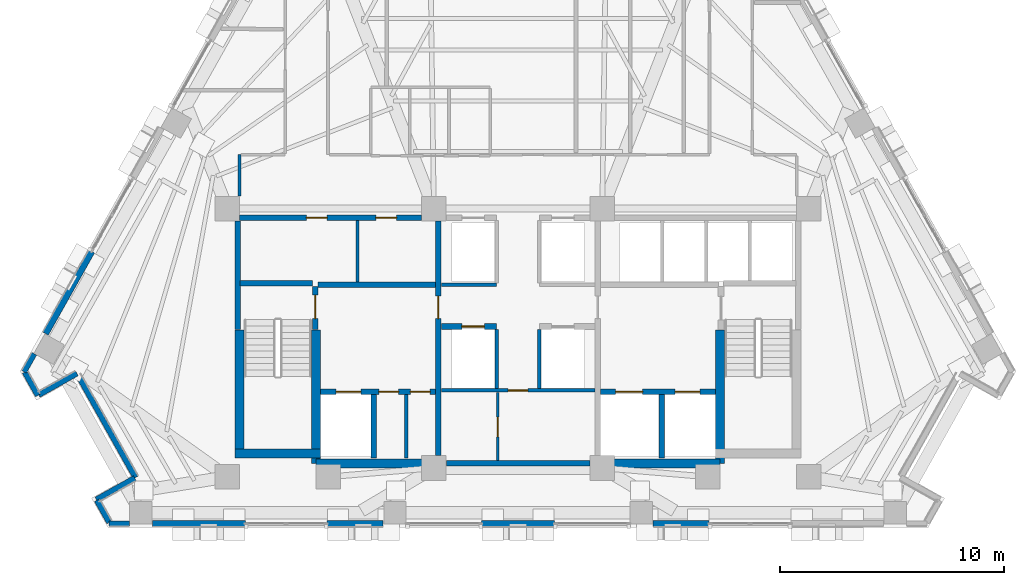
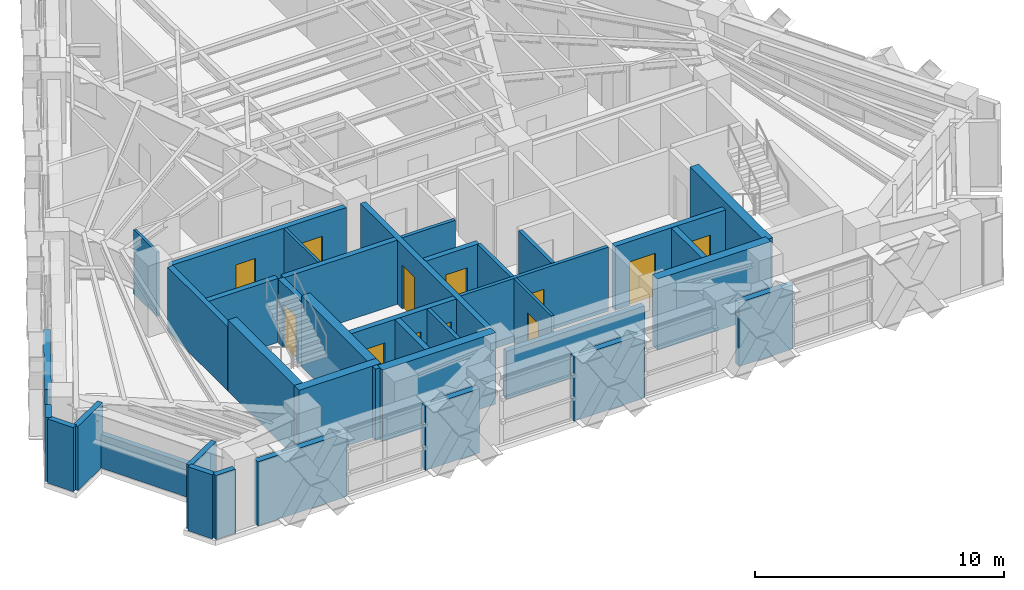
# One storey, part 7 of 13: 38 walls, 12 doors, 12 openings.
"""IFC4 building model written with IfcOpenShell, lengths in metres."""

import ifcopenshell
import ifcopenshell.guid

model = None  # the IFC model being written
_history = None  # IfcOwnerHistory: only IFC2X3 demands one
_inside = {}  # id of a spatial element -> (the spatial element, [elements in it])
_under = {}  # id of a project, library or spatial element -> (it, [spatial elements below it])
_declared = {}  # id of a project -> (the project, [libraries it declares])
_typed = {}  # id of a type object -> (the type object, [elements of that type])
_made_of = {}  # id of a material, layer set ... -> (it, [elements and type objects made of it])


def new_model(schema):
    """Start an empty IFC model of exactly this schema.

    Asked for "IFC4X3", IfcOpenShell would pick the latest addendum, in which some entities
    have other attributes; the version numbers below select the first issue.
    IFC2X3 requires an IfcOwnerHistory on every rooted entity: one is made here for all.
    """
    global model, _history
    if schema == "IFC4X3":
        model = ifcopenshell.file(schema_version=(4, 3, 0, 0))
    else:
        model = ifcopenshell.file(schema=schema)
    _inside.clear()
    _under.clear()
    _declared.clear()
    _typed.clear()
    _made_of.clear()
    _history = None
    if model.schema == "IFC2X3":
        org = make("IfcOrganization", Name="unknown")
        user = make(
            "IfcPersonAndOrganization",
            ThePerson=make("IfcPerson", FamilyName="unknown"),
            TheOrganization=org,
        )
        app = make(
            "IfcApplication",
            ApplicationDeveloper=org,
            Version="unknown",
            ApplicationFullName="unknown",
            ApplicationIdentifier="unknown",
        )
        _history = make(
            "IfcOwnerHistory",
            OwningUser=user,
            OwningApplication=app,
            ChangeAction="ADDED",
            CreationDate=0,
        )
    return model


def make(cls, **values):
    """One entity of the class cls with the attributes given. An attribute that is None is left unset."""
    return model.create_entity(
        cls, **{name: value for name, value in values.items() if value is not None}
    )


def rooted(cls, **values):
    """An entity with a GlobalId (a new one), such as an element, a storey or a relation."""
    return make(cls, GlobalId=ifcopenshell.guid.new(), OwnerHistory=_history, **values)


def si_unit(unit_type, name, prefix=None):
    """IfcSIUnit, for example si_unit("LENGTHUNIT", "METRE", prefix="MILLI")."""
    return make("IfcSIUnit", UnitType=unit_type, Prefix=prefix, Name=name)


def assignment(units):
    """IfcUnitAssignment: the units of a project."""
    return None if units is None else make("IfcUnitAssignment", Units=units)


def point(xyz):
    """IfcCartesianPoint."""
    return None if xyz is None else make("IfcCartesianPoint", Coordinates=xyz)


def direction(xyz):
    """IfcDirection."""
    return None if xyz is None else make("IfcDirection", DirectionRatios=xyz)


def frame(location, z_axis=None, x_axis=None):
    """IfcAxis2Placement3D, a coordinate frame: its origin and axes. An axis left out is left unset."""
    return make(
        "IfcAxis2Placement3D",
        Location=point(location),
        Axis=direction(z_axis),
        RefDirection=direction(x_axis),
    )


def frame_2d(location, x_axis=None):
    """IfcAxis2Placement2D, a coordinate frame in the plane: its origin and x axis."""
    return make(
        "IfcAxis2Placement2D", Location=point(location), RefDirection=direction(x_axis)
    )


def origin():
    """The frame at (0, 0, 0) with its axes left unset."""
    return frame((0.0, 0.0, 0.0))


def place(relative_to, where):
    """IfcLocalPlacement: puts the frame where relative to a parent placement (None: the world)."""
    return make(
        "IfcLocalPlacement", PlacementRelTo=relative_to, RelativePlacement=where
    )


def context(
    kind, dimensions, precision=None, world=None, true_north=None, identifier=None
):
    """IfcGeometricRepresentationContext, for example the 3D "Model" context."""
    return make(
        "IfcGeometricRepresentationContext",
        ContextIdentifier=identifier,
        ContextType=kind,
        CoordinateSpaceDimension=dimensions,
        Precision=precision,
        WorldCoordinateSystem=world,
        TrueNorth=true_north,
    )


def subcontext(parent, identifier, kind, view, scale=None):
    """IfcGeometricRepresentationSubContext, for example "Body" below "Model"."""
    return make(
        "IfcGeometricRepresentationSubContext",
        ContextIdentifier=identifier,
        ContextType=kind,
        ParentContext=parent,
        TargetScale=scale,
        TargetView=view,
    )


def project(units=None, contexts=None):
    """IfcProject with its units and contexts."""
    return rooted(
        "IfcProject",
        Name="project",
        RepresentationContexts=contexts,
        UnitsInContext=assignment(units),
    )


def spatial(cls, under=None, at=None, **own):
    """A site, building, storey or space (cls), placed at a placement, below another one or the project."""
    s = rooted(cls, ObjectPlacement=at, **own)
    if under is not None:
        _under.setdefault(under.id(), (under, []))[1].append(s)
    return s


def profile(cls, at=None, kind="AREA", **sizes):
    """A parametric profile (cls). Its sizes go by their IFC names, for example OverallWidth=200.0."""
    return make(cls, ProfileType=kind, Position=at, **sizes)


def rectangle(**sizes):
    """IfcRectangleProfileDef."""
    return profile("IfcRectangleProfileDef", **sizes)


def extrude(swept, where, along, depth):
    """IfcExtrudedAreaSolid: the profile swept, set in the frame where, extruded along a direction by depth."""
    return make(
        "IfcExtrudedAreaSolid",
        SweptArea=swept,
        Position=where,
        ExtrudedDirection=direction(along),
        Depth=depth,
    )


def shape(context_of_items, identifier, shape_type, items):
    """IfcShapeRepresentation: the items that make up one representation, for example the "Body"."""
    return make(
        "IfcShapeRepresentation",
        ContextOfItems=context_of_items,
        RepresentationIdentifier=identifier,
        RepresentationType=shape_type,
        Items=items,
    )


def material(Name=None, Category=None):
    """IfcMaterial."""
    return make("IfcMaterial", Name=Name, Category=Category)


def layer(
    of_material, thickness, ventilated=None, Name=None, Category=None, Priority=None
):
    """IfcMaterialLayer: one layer of a wall or slab, of a material (None: an air gap)."""
    return make(
        "IfcMaterialLayer",
        Material=of_material,
        LayerThickness=thickness,
        IsVentilated=ventilated,
        Name=Name,
        Category=Category,
        Priority=Priority,
    )


def layer_set(layers, Name=None):
    """IfcMaterialLayerSet."""
    return make("IfcMaterialLayerSet", MaterialLayers=layers, LayerSetName=Name)


def made_of(thing, what):
    """Note that an element or type object is made of a material, layer set ...; save() writes the relation."""
    if what is not None:
        _made_of.setdefault(what.id(), (what, []))[1].append(thing)
    return thing


def type_object(cls, material=None, **own):
    """A type object (cls), such as IfcWallType, which elements share."""
    return made_of(rooted(cls, **own), material)


def element(
    cls,
    number,
    at=None,
    inside=None,
    cuts=None,
    type_object=None,
    material=None,
    context=None,
    identifier="Body",
    shape_type=None,
    held_by="IfcProductDefinitionShape",
    body=None,
    shapes=None,
    **own,
):
    """One element of the class cls, such as IfcWall. Its Tag is "e" and its number.

    at: its placement. inside: the storey or other place that contains it. cuts: it is an
    opening in that element (IfcRelVoidsElement). A single representation is given by context,
    identifier, shape_type and body (its items); several are given by shapes. held_by: the class
    of the entity that holds the representations. save() writes the other relations.
    """
    e = rooted(cls, Tag="e%d" % number, ObjectPlacement=at, **own)
    if body is not None:
        shapes = [shape(context, identifier, shape_type, body)]
    if shapes is not None:
        e.Representation = make(held_by, Representations=shapes)
    if inside is not None:
        _inside.setdefault(inside.id(), (inside, []))[1].append(e)
    if cuts is not None:
        rooted(
            "IfcRelVoidsElement", RelatingBuildingElement=cuts, RelatedOpeningElement=e
        )
    if type_object is not None:
        _typed.setdefault(type_object.id(), (type_object, []))[1].append(e)
    return made_of(e, material)


def fill(opening, filler):
    """IfcRelFillsElement: the door or window that sits in an opening."""
    return rooted(
        "IfcRelFillsElement",
        RelatingOpeningElement=opening,
        RelatedBuildingElement=filler,
    )


def aggregate(whole, parts):
    """IfcRelAggregates: a whole, such as a stair, and the parts it consists of."""
    return rooted("IfcRelAggregates", RelatingObject=whole, RelatedObjects=parts)


def save(model, path):
    """Write the relations noted so far, then the file.

    IfcRelAggregates (storeys below a building ...), IfcRelContainedInSpatialStructure (elements
    in a storey), IfcRelDefinesByType, IfcRelAssociatesMaterial and IfcRelDeclares: one each for
    every whole, place, type object, material and project.
    """
    for whole, parts in _under.values():
        aggregate(whole, parts)
    for where, things in _inside.values():
        rooted(
            "IfcRelContainedInSpatialStructure",
            RelatedElements=things,
            RelatingStructure=where,
        )
    for kind, things in _typed.values():
        rooted("IfcRelDefinesByType", RelatedObjects=things, RelatingType=kind)
    for what, things in _made_of.values():
        rooted("IfcRelAssociatesMaterial", RelatedObjects=things, RelatingMaterial=what)
    for by, libraries in _declared.values():
        rooted("IfcRelDeclares", RelatingContext=by, RelatedDefinitions=libraries)
    model.write(path)


model = new_model("IFC4")

# Units and contexts
model_context = context("Model", 3, precision=1e-05, world=origin(), true_north=direction((0.0, 1.0)))
body_context = subcontext(model_context, "Body", "Model", "MODEL_VIEW")
ifc_project = project(units=[si_unit("LENGTHUNIT", "METRE"), si_unit("AREAUNIT", "SQUARE_METRE"), si_unit("VOLUMEUNIT", "CUBIC_METRE"), si_unit("PLANEANGLEUNIT", "RADIAN"), si_unit("MASSUNIT", "GRAM", prefix="KILO")], contexts=[model_context])

# Site, building, storey
site_placement = place(None, origin())
site = spatial("IfcSite", under=ifc_project, at=site_placement, CompositionType="ELEMENT")
building_placement = place(site_placement, origin())
building = spatial("IfcBuilding", under=site, at=building_placement, Name="Quenlor Broadcast Tower", CompositionType="ELEMENT")
storey_placement = place(building_placement, frame((0.0, 0.0, 175.5)))
storey = spatial("IfcBuildingStorey", under=building, at=storey_placement, Name="L48", CompositionType="ELEMENT", Elevation=175.5)

# Walls
ifc_material_1 = material(Name="Concrete C50/60", Category="concrete")
ifc_layer_1 = layer(ifc_material_1, 0.39990234375)
ifc_layer_set_1 = layer_set([ifc_layer_1], Name="Core Concrete C50/60 Shear Wall 400")
wall_type_1 = type_object("IfcWallType", Name="Core Concrete C50/60 Shear Wall 400", PredefinedType="SHEAR", material=ifc_layer_set_1)
wall_1_placement = place(storey_placement, frame((-12.60009765625, -15.699951171875, 0.0), z_axis=(0.0, 0.0, 1.0), x_axis=(1.0, 0.0, 0.0)))
element("IfcWall", 1, at=wall_1_placement, inside=storey, type_object=wall_type_1, Name="L48 Core Shear Wall WS-W1", PredefinedType="SHEAR", context=body_context, shape_type="SweptSolid", body=[
    extrude(rectangle(XDim=3.800048828125, YDim=0.39990234375, at=frame_2d((1.89990234375, 0.0))), origin(), (0.0, 0.0, 1.0), 3.5),
])
for number, where, z_axis, x_axis, name in (
    (2, (-9.0, -16.14990234375, 0.0), (0.0, 0.0, 1.0), (1.0, 0.0, 0.0), "L48 Core Shear Wall WS-W2"),
    (3, (3.75, -16.14990234375, 0.0), (0.0, 0.0, 1.0), (1.0, 0.0, 0.0), "L48 Core Shear Wall WS-E1"),
):
    element("IfcWall", number, at=place(storey_placement, frame(where, z_axis=z_axis, x_axis=x_axis)), inside=storey, type_object=wall_type_1, Name=name, PredefinedType="SHEAR", context=body_context, shape_type="SweptSolid", body=[
        extrude(rectangle(XDim=5.25, YDim=0.39990234375, at=frame_2d((2.625, 0.0))), origin(), (0.0, 0.0, 1.0), 3.5),
    ])
wall_2_placement = place(storey_placement, frame((-12.39990234375, -15.699951171875, 0.0), z_axis=(0.0, 0.0, 1.0), x_axis=(0.0, 1.0, 0.0)))
element("IfcWall", 4, at=wall_2_placement, inside=storey, type_object=wall_type_1, Name="L48 Core Shear Wall WF-W", PredefinedType="SHEAR", context=body_context, shape_type="SweptSolid", body=[
    extrude(rectangle(XDim=5.5, YDim=0.39990234375, at=frame_2d((2.75, 0.0))), origin(), (0.0, 0.0, 1.0), 3.5),
])
for number, where, z_axis, x_axis, name in (
    (5, (-9.0, -16.14990234375, 0.0), (0.0, 0.0, 1.0), (0.0, 1.0, 0.0), "L48 Core Shear Wall WI-W"),
    (6, (9.0, -16.14990234375, 0.0), (0.0, 0.0, 1.0), (0.0, 1.0, 0.0), "L48 Core Shear Wall WI-E"),
):
    element("IfcWall", number, at=place(storey_placement, frame(where, z_axis=z_axis, x_axis=x_axis)), inside=storey, type_object=wall_type_1, Name=name, PredefinedType="SHEAR", context=body_context, shape_type="SweptSolid", body=[
        extrude(rectangle(XDim=5.949951171875, YDim=0.39990234375, at=frame_2d((2.97509765625, 0.0))), origin(), (0.0, 0.0, 1.0), 3.5),
    ])

# Wall, opening, door
ifc_material_2 = material(Name="Concrete C40/50", Category="concrete")
ifc_layer_2 = layer(ifc_material_2, 0.25)
ifc_layer_set_2 = layer_set([ifc_layer_2], Name="Fire Rated Concrete C40/50 Core Wall 250")
wall_type_2 = type_object("IfcWallType", Name="Fire Rated Concrete C40/50 Core Wall 250", PredefinedType="PARTITIONING", material=ifc_layer_set_2)
wall_3_placement = place(storey_placement, frame((-9.0400390625, -10.179931640625, 0.0), z_axis=(0.0, 0.0, 1.0), x_axis=(0.0, 1.0, 0.0)))
wall_3 = element("IfcWall", 7, at=wall_3_placement, inside=storey, type_object=wall_type_2, Name="L48 Interior Wall CW-ST1-DR", PredefinedType="PARTITIONING", context=body_context, shape_type="SweptSolid", body=[
    extrude(rectangle(XDim=1.89990234375, YDim=0.25, at=frame_2d((0.949951171875, 0.0))), origin(), (0.0, 0.0, 1.0), 3.139892578125),
])
opening_1_placement = place(wall_3_placement, frame((0.47998046875, 0.0, 0.0)))
opening_1 = element("IfcOpeningElement", 8, at=opening_1_placement, cuts=wall_3, Name="Opening FD-1", PredefinedType="OPENING", context=body_context, shape_type="SweptSolid", body=[
    extrude(rectangle(XDim=1.050048828125, YDim=2.14990234375, at=frame_2d((0.52490234375, 1.074951171875))), frame((0.0, 0.135009765625, 0.0), z_axis=(0.0, -1.0, 0.0), x_axis=(1.0, 0.0, 0.0)), (0.0, 0.0, 1.0), 0.27001953125),
])
ifc_material_3 = material(Name="Fire Rated Steel Door Leaf", Category="steel")
door_type_1 = type_object("IfcDoorType", Name="Fire Isolated Stair Door 1050x2150", OperationType="NOTDEFINED", PredefinedType="DOOR", material=ifc_material_3)
door_1_placement = place(opening_1_placement, origin())
door_1 = element("IfcDoor", 9, at=door_1_placement, inside=storey, type_object=door_type_1, Name="L48 Door DR-ST1", OperationType="SINGLE_SWING_LEFT", OverallHeight=2.14990234375, OverallWidth=1.050048828125, PredefinedType="DOOR", context=body_context, shape_type="SweptSolid", body=[
    extrude(rectangle(XDim=1.050048828125, YDim=2.14990234375, at=frame_2d((0.52490234375, 1.074951171875))), frame((0.0, 0.02490234375, 0.0), z_axis=(0.0, -1.0, 0.0), x_axis=(1.0, 0.0, 0.0)), (0.0, 0.0, 1.0), 0.050048828125),
])
fill(opening_1, door_1)

# Walls
wall_4_placement = place(storey_placement, frame((-12.3798828125, -8.1201171875, 0.0), z_axis=(0.0, 0.0, 1.0), x_axis=(1.0, 0.0, 0.0)))
element("IfcWall", 10, at=wall_4_placement, inside=storey, type_object=wall_type_2, Name="L48 Interior Wall CW-ST1-N", PredefinedType="PARTITIONING", context=body_context, shape_type="SweptSolid", body=[
    extrude(rectangle(XDim=3.219970703125, YDim=0.25, at=frame_2d((1.60986328125, 0.0))), origin(), (0.0, 0.0, 1.0), 3.139892578125),
])
wall_5_placement = place(storey_placement, frame((-12.47998046875, -10.179931640625, 0.0), z_axis=(0.0, 0.0, 1.0), x_axis=(0.0, 1.0, 0.0)))
element("IfcWall", 11, at=wall_5_placement, inside=storey, type_object=wall_type_2, Name="L48 Interior Wall CW-ST1-W2", PredefinedType="PARTITIONING", context=body_context, shape_type="SweptSolid", body=[
    extrude(rectangle(XDim=4.827880859375, YDim=0.25, at=frame_2d((2.4140625, 0.0))), origin(), (0.0, 0.0, 1.0), 3.139892578125),
])

# Wall, openings, doors
wall_6_placement = place(storey_placement, frame((-8.798095703125, -12.949951171875, 0.0), z_axis=(0.0, 0.0, 1.0), x_axis=(1.0, 0.0, 0.0)))
wall_6 = element("IfcWall", 12, at=wall_6_placement, inside=storey, type_object=wall_type_2, Name="L48 Interior Wall CW-FFW-S", PredefinedType="PARTITIONING", context=body_context, shape_type="SweptSolid", body=[
    extrude(rectangle(XDim=5.1181640625, YDim=0.25, at=frame_2d((2.55908203125, 0.0))), origin(), (0.0, 0.0, 1.0), 3.139892578125),
])
opening_2_placement = place(wall_6_placement, frame((0.697998046875, 0.0, 0.0)))
opening_2 = element("IfcOpeningElement", 13, at=opening_2_placement, cuts=wall_6, Name="Opening LD-FFL-1", PredefinedType="OPENING", context=body_context, shape_type="SweptSolid", body=[
    extrude(rectangle(XDim=1.10009765625, YDim=2.14990234375, at=frame_2d((0.550048828125, 1.074951171875))), frame((0.0, 0.135009765625, 0.0), z_axis=(0.0, -1.0, 0.0), x_axis=(1.0, 0.0, 0.0)), (0.0, 0.0, 1.0), 0.27001953125),
])
opening_3_placement = place(wall_6_placement, frame((2.597900390625, 0.0, 0.0)))
opening_3 = element("IfcOpeningElement", 14, at=opening_3_placement, cuts=wall_6, Name="Opening TD-1", PredefinedType="OPENING", context=body_context, shape_type="SweptSolid", body=[
    extrude(rectangle(XDim=0.8798828125, YDim=2.10009765625, at=frame_2d((0.43994140625, 1.050048828125))), frame((0.0, 0.135009765625, 0.0), z_axis=(0.0, -1.0, 0.0), x_axis=(1.0, 0.0, 0.0)), (0.0, 0.0, 1.0), 0.27001953125),
])
opening_4_placement = place(wall_6_placement, frame((3.998046875, 0.0, 0.0)))
opening_4 = element("IfcOpeningElement", 15, at=opening_4_placement, cuts=wall_6, Name="Opening TD-1", PredefinedType="OPENING", context=body_context, shape_type="SweptSolid", body=[
    extrude(rectangle(XDim=0.8798828125, YDim=2.10009765625, at=frame_2d((0.43994140625, 1.050048828125))), frame((0.0, 0.135009765625, 0.0), z_axis=(0.0, -1.0, 0.0), x_axis=(1.0, 0.0, 0.0)), (0.0, 0.0, 1.0), 0.27001953125),
])
ifc_material_4 = material(Name="Brushed Stainless Steel", Category="steel")
door_type_2 = type_object("IfcDoorType", Name="Emergency Lift Sliding Landing Door 1100x2150", OperationType="NOTDEFINED", PredefinedType="DOOR", material=ifc_material_4)
door_2_placement = place(opening_2_placement, origin())
door_2 = element("IfcDoor", 16, at=door_2_placement, inside=storey, type_object=door_type_2, Name="L48 Door LD-FFL-1", OperationType="SLIDING_TO_LEFT", OverallHeight=2.14990234375, OverallWidth=1.10009765625, PredefinedType="DOOR", context=body_context, shape_type="SweptSolid", body=[
    extrude(rectangle(XDim=1.10009765625, YDim=2.14990234375, at=frame_2d((0.550048828125, 1.074951171875))), frame((0.0, 0.02490234375, 0.0), z_axis=(0.0, -1.0, 0.0), x_axis=(1.0, 0.0, 0.0)), (0.0, 0.0, 1.0), 0.050048828125),
])
fill(opening_2, door_2)
ifc_material_5 = material(Name="Fire Rated Steel Access Panel", Category="steel")
door_type_3 = type_object("IfcDoorType", Name="Riser Shaft Rated Access Trapdoor 880x2100", OperationType="NOTDEFINED", PredefinedType="TRAPDOOR", material=ifc_material_5)
door_3_placement = place(opening_3_placement, origin())
door_3 = element("IfcDoor", 17, at=door_3_placement, inside=storey, type_object=door_type_3, Name="L48 Door DR-ELR", OperationType="SINGLE_SWING_LEFT", OverallHeight=2.10009765625, OverallWidth=0.8798828125, PredefinedType="TRAPDOOR", context=body_context, shape_type="SweptSolid", body=[
    extrude(rectangle(XDim=0.8798828125, YDim=2.10009765625, at=frame_2d((0.43994140625, 1.050048828125))), frame((0.0, 0.02490234375, 0.0), z_axis=(0.0, -1.0, 0.0), x_axis=(1.0, 0.0, 0.0)), (0.0, 0.0, 1.0), 0.050048828125),
])
fill(opening_3, door_3)
door_4_placement = place(opening_4_placement, origin())
door_4 = element("IfcDoor", 18, at=door_4_placement, inside=storey, type_object=door_type_3, Name="L48 Door DR-CMR", OperationType="SINGLE_SWING_RIGHT", OverallHeight=2.10009765625, OverallWidth=0.8798828125, PredefinedType="TRAPDOOR", context=body_context, shape_type="SweptSolid", body=[
    extrude(rectangle(XDim=0.8798828125, YDim=2.10009765625, at=frame_2d((0.43994140625, 1.050048828125))), frame((0.0, 0.02490234375, 0.0), z_axis=(0.0, -1.0, 0.0), x_axis=(1.0, 0.0, 0.0)), (0.0, 0.0, 1.0), 0.050048828125),
])
fill(opening_4, door_4)

wall_7_placement = place(storey_placement, frame((3.679931640625, -12.949951171875, 0.0), z_axis=(0.0, 0.0, 1.0), x_axis=(1.0, 0.0, 0.0)))
wall_7 = element("IfcWall", 19, at=wall_7_placement, inside=storey, type_object=wall_type_2, Name="L48 Interior Wall CW-FFE-S", PredefinedType="PARTITIONING", context=body_context, shape_type="SweptSolid", body=[
    extrude(rectangle(XDim=5.1181640625, YDim=0.25, at=frame_2d((2.55908203125, 0.0))), origin(), (0.0, 0.0, 1.0), 3.139892578125),
])
opening_5_placement = place(wall_7_placement, frame((3.320068359375, 0.0, 0.0)))
opening_5 = element("IfcOpeningElement", 20, at=opening_5_placement, cuts=wall_7, Name="Opening LD-FFL-2", PredefinedType="OPENING", context=body_context, shape_type="SweptSolid", body=[
    extrude(rectangle(XDim=1.10009765625, YDim=2.14990234375, at=frame_2d((0.550048828125, 1.074951171875))), frame((0.0, 0.135009765625, 0.0), z_axis=(0.0, -1.0, 0.0), x_axis=(1.0, 0.0, 0.0)), (0.0, 0.0, 1.0), 0.27001953125),
])
opening_6_placement = place(wall_7_placement, frame((0.669921875, 0.0, 0.0)))
opening_6 = element("IfcOpeningElement", 21, at=opening_6_placement, cuts=wall_7, Name="Opening LD-SVL-1", PredefinedType="OPENING", context=body_context, shape_type="SweptSolid", body=[
    extrude(rectangle(XDim=1.199951171875, YDim=2.14990234375, at=frame_2d((0.60009765625, 1.074951171875))), frame((0.0, 0.135009765625, 0.0), z_axis=(0.0, -1.0, 0.0), x_axis=(1.0, 0.0, 0.0)), (0.0, 0.0, 1.0), 0.27001953125),
])
door_5_placement = place(opening_5_placement, origin())
door_5 = element("IfcDoor", 22, at=door_5_placement, inside=storey, type_object=door_type_2, Name="L48 Door LD-FFL-2", OperationType="SLIDING_TO_RIGHT", OverallHeight=2.14990234375, OverallWidth=1.10009765625, PredefinedType="DOOR", context=body_context, shape_type="SweptSolid", body=[
    extrude(rectangle(XDim=1.10009765625, YDim=2.14990234375, at=frame_2d((0.550048828125, 1.074951171875))), frame((0.0, 0.02490234375, 0.0), z_axis=(0.0, -1.0, 0.0), x_axis=(1.0, 0.0, 0.0)), (0.0, 0.0, 1.0), 0.050048828125),
])
fill(opening_5, door_5)
ifc_material_6 = material(Name="Brushed Stainless Steel", Category="steel")
door_type_4 = type_object("IfcDoorType", Name="Goods Lift Sliding Landing Door 1200x2150", OperationType="NOTDEFINED", PredefinedType="DOOR", material=ifc_material_6)
door_6_placement = place(opening_6_placement, origin())
door_6 = element("IfcDoor", 23, at=door_6_placement, inside=storey, type_object=door_type_4, Name="L48 Door LD-SVL-1", OperationType="SLIDING_TO_LEFT", OverallHeight=2.14990234375, OverallWidth=1.199951171875, PredefinedType="DOOR", context=body_context, shape_type="SweptSolid", body=[
    extrude(rectangle(XDim=1.199951171875, YDim=2.14990234375, at=frame_2d((0.60009765625, 1.074951171875))), frame((0.0, 0.02490234375, 0.0), z_axis=(0.0, -1.0, 0.0), x_axis=(1.0, 0.0, 0.0)), (0.0, 0.0, 1.0), 0.050048828125),
])
fill(opening_6, door_6)

# Walls
for number, where, z_axis, x_axis, name in (
    (24, (-6.419921875, -15.919921875, 0.0), (0.0, 0.0, 1.0), (0.0, 1.0, 0.0), "L48 Interior Wall CW-FF1-E"),
    (25, (6.39990234375, -15.919921875, 0.0), (0.0, 0.0, 1.0), (0.0, 1.0, 0.0), "L48 Interior Wall CW-SV1-E"),
):
    element("IfcWall", number, at=place(storey_placement, frame(where, z_axis=z_axis, x_axis=x_axis)), inside=storey, type_object=wall_type_2, Name=name, PredefinedType="PARTITIONING", context=body_context, shape_type="SweptSolid", body=[
        extrude(rectangle(XDim=2.829833984375, YDim=0.25, at=frame_2d((1.4150390625, 0.0))), origin(), (0.0, 0.0, 1.0), 3.139892578125),
    ])
wall_8_placement = place(storey_placement, frame((-8.919921875, -8.199951171875, 0.0), z_axis=(0.0, 0.0, 1.0), x_axis=(1.0, 0.0, 0.0)))
element("IfcWall", 26, at=wall_8_placement, inside=storey, type_object=wall_type_2, Name="L48 Interior Wall CW-FFW-N", PredefinedType="PARTITIONING", context=body_context, shape_type="SweptSolid", body=[
    extrude(rectangle(XDim=5.239990234375, YDim=0.25, at=frame_2d((2.6201171875, 0.0))), origin(), (0.0, 0.0, 1.0), 3.139892578125),
])

# Wall, opening, door
wall_9_placement = place(storey_placement, frame((-3.550048828125, -15.798095703125, 0.0), z_axis=(0.0, 0.0, 1.0), x_axis=(0.0, 1.0, 0.0)))
wall_9 = element("IfcWall", 27, at=wall_9_placement, inside=storey, type_object=wall_type_2, Name="L48 Interior Wall CW-FFW-E", PredefinedType="PARTITIONING", context=body_context, shape_type="SweptSolid", body=[
    extrude(rectangle(XDim=10.446044921875, YDim=0.25, at=frame_2d((5.22314453125, 0.0))), origin(), (0.0, 0.0, 1.0), 3.139892578125),
])
opening_7_placement = place(wall_9_placement, frame((6.097900390625, 0.0, 0.0)))
opening_7 = element("IfcOpeningElement", 28, at=opening_7_placement, cuts=wall_9, Name="Opening FD-2", PredefinedType="OPENING", context=body_context, shape_type="SweptSolid", body=[
    extrude(rectangle(XDim=1.0, YDim=2.14990234375, at=frame_2d((0.5, 1.074951171875))), frame((0.0, 0.135009765625, 0.0), z_axis=(0.0, -1.0, 0.0), x_axis=(1.0, 0.0, 0.0)), (0.0, 0.0, 1.0), 0.27001953125),
])
ifc_material_7 = material(Name="Fire Rated Glazed Steel Door", Category="steel")
door_type_5 = type_object("IfcDoorType", Name="Firefighting Lobby Smoke Door 1000x2150", OperationType="NOTDEFINED", PredefinedType="DOOR", material=ifc_material_7)
door_7_placement = place(opening_7_placement, origin())
door_7 = element("IfcDoor", 29, at=door_7_placement, inside=storey, type_object=door_type_5, Name="L48 Door DR-FFLW", OperationType="SINGLE_SWING_RIGHT", OverallHeight=2.14990234375, OverallWidth=1.0, PredefinedType="DOOR", context=body_context, shape_type="SweptSolid", body=[
    extrude(rectangle(XDim=1.0, YDim=2.14990234375, at=frame_2d((0.5, 1.074951171875))), frame((0.0, 0.02490234375, 0.0), z_axis=(0.0, -1.0, 0.0), x_axis=(1.0, 0.0, 0.0)), (0.0, 0.0, 1.0), 0.050048828125),
])
fill(opening_7, door_7)

# Wall, openings, doors
wall_10_placement = place(storey_placement, frame((-12.39794921875, -5.199951171875, 0.0), z_axis=(0.0, 0.0, 1.0), x_axis=(1.0, 0.0, 0.0)))
wall_10 = element("IfcWall", 30, at=wall_10_placement, inside=storey, type_object=wall_type_2, Name="L48 Interior Wall CW-N-W", PredefinedType="PARTITIONING", context=body_context, shape_type="SweptSolid", body=[
    extrude(rectangle(XDim=8.095947265625, YDim=0.25, at=frame_2d((4.0478515625, 0.0))), origin(), (0.0, 0.0, 1.0), 3.139892578125),
])
opening_8_placement = place(wall_10_placement, frame((2.968017578125, 0.0, 0.0)))
opening_8 = element("IfcOpeningElement", 31, at=opening_8_placement, cuts=wall_10, Name="Opening ID-1", PredefinedType="OPENING", context=body_context, shape_type="SweptSolid", body=[
    extrude(rectangle(XDim=0.919921875, YDim=2.1201171875, at=frame_2d((0.4599609375, 1.06005859375))), frame((0.0, 0.135009765625, 0.0), z_axis=(0.0, -1.0, 0.0), x_axis=(1.0, 0.0, 0.0)), (0.0, 0.0, 1.0), 0.27001953125),
])
opening_9_placement = place(wall_10_placement, frame((6.068115234375, 0.0, 0.0)))
opening_9 = element("IfcOpeningElement", 32, at=opening_9_placement, cuts=wall_10, Name="Opening ID-1", PredefinedType="OPENING", context=body_context, shape_type="SweptSolid", body=[
    extrude(rectangle(XDim=0.919921875, YDim=2.1201171875, at=frame_2d((0.4599609375, 1.06005859375))), frame((0.0, 0.135009765625, 0.0), z_axis=(0.0, -1.0, 0.0), x_axis=(1.0, 0.0, 0.0)), (0.0, 0.0, 1.0), 0.27001953125),
])
ifc_material_8 = material(Name="Solid Core Timber Oak", Category="wood")
door_type_6 = type_object("IfcDoorType", Name="Single Leaf Timber Office Door 920x2120", OperationType="NOTDEFINED", PredefinedType="DOOR", material=ifc_material_8)
door_8_placement = place(opening_8_placement, origin())
door_8 = element("IfcDoor", 33, at=door_8_placement, inside=storey, type_object=door_type_6, Name="L48 Door DR-RCL1", OperationType="SINGLE_SWING_LEFT", OverallHeight=2.1201171875, OverallWidth=0.919921875, PredefinedType="DOOR", context=body_context, shape_type="SweptSolid", body=[
    extrude(rectangle(XDim=0.919921875, YDim=2.1201171875, at=frame_2d((0.4599609375, 1.06005859375))), frame((0.0, 0.02490234375, 0.0), z_axis=(0.0, -1.0, 0.0), x_axis=(1.0, 0.0, 0.0)), (0.0, 0.0, 1.0), 0.050048828125),
])
fill(opening_8, door_8)
door_9_placement = place(opening_9_placement, origin())
door_9 = element("IfcDoor", 34, at=door_9_placement, inside=storey, type_object=door_type_6, Name="L48 Door DR-RCL2", OperationType="SINGLE_SWING_RIGHT", OverallHeight=2.1201171875, OverallWidth=0.919921875, PredefinedType="DOOR", context=body_context, shape_type="SweptSolid", body=[
    extrude(rectangle(XDim=0.919921875, YDim=2.1201171875, at=frame_2d((0.4599609375, 1.06005859375))), frame((0.0, 0.02490234375, 0.0), z_axis=(0.0, -1.0, 0.0), x_axis=(1.0, 0.0, 0.0)), (0.0, 0.0, 1.0), 0.050048828125),
])
fill(opening_9, door_9)

# Wall
wall_11_placement = place(storey_placement, frame((-3.197998046875, -16.14990234375, 0.0), z_axis=(0.0, 0.0, 1.0), x_axis=(1.0, 0.0, 0.0)))
element("IfcWall", 35, at=wall_11_placement, inside=storey, type_object=wall_type_2, Name="L48 Interior Wall CW-MS-S", PredefinedType="PARTITIONING", context=body_context, shape_type="SweptSolid", body=[
    extrude(rectangle(XDim=6.39599609375, YDim=0.25, at=frame_2d((3.197998046875, 0.0))), origin(), (0.0, 0.0, 1.0), 2.340087890625),
])

# Wall, opening, door
wall_12_placement = place(storey_placement, frame((-3.419921875, -10.050048828125, 0.0), z_axis=(0.0, 0.0, 1.0), x_axis=(1.0, 0.0, 0.0)))
wall_12 = element("IfcWall", 36, at=wall_12_placement, inside=storey, type_object=wall_type_2, Name="L48 Interior Wall CW-MS-N1", PredefinedType="PARTITIONING", context=body_context, shape_type="SweptSolid", body=[
    extrude(rectangle(XDim=2.469970703125, YDim=0.25, at=frame_2d((1.23486328125, 0.0))), origin(), (0.0, 0.0, 1.0), 3.139892578125),
])
opening_10_placement = place(wall_12_placement, frame((0.919921875, 0.0, 0.0)))
opening_10 = element("IfcOpeningElement", 37, at=opening_10_placement, cuts=wall_12, Name="Opening LD-PL-M3", PredefinedType="OPENING", context=body_context, shape_type="SweptSolid", body=[
    extrude(rectangle(XDim=1.0, YDim=2.14990234375, at=frame_2d((0.5, 1.074951171875))), frame((0.0, 0.135009765625, 0.0), z_axis=(0.0, -1.0, 0.0), x_axis=(1.0, 0.0, 0.0)), (0.0, 0.0, 1.0), 0.27001953125),
])
ifc_material_9 = material(Name="Brushed Stainless Steel", Category="steel")
door_type_7 = type_object("IfcDoorType", Name="Passenger Lift Sliding Landing Door 1000x2150", OperationType="NOTDEFINED", PredefinedType="DOOR", material=ifc_material_9)
door_10_placement = place(opening_10_placement, origin())
door_10 = element("IfcDoor", 38, at=door_10_placement, inside=storey, type_object=door_type_7, Name="L48 Door LD-PL-M3", OperationType="SLIDING_TO_LEFT", OverallHeight=2.14990234375, OverallWidth=1.0, PredefinedType="DOOR", context=body_context, shape_type="SweptSolid", body=[
    extrude(rectangle(XDim=1.0, YDim=2.14990234375, at=frame_2d((0.5, 1.074951171875))), frame((0.0, 0.02490234375, 0.0), z_axis=(0.0, -1.0, 0.0), x_axis=(1.0, 0.0, 0.0)), (0.0, 0.0, 1.0), 0.050048828125),
])
fill(opening_10, door_10)

# Walls
ifc_material_10 = material(Name="Gypsum Fireboard Partition", Category="other")
ifc_layer_3 = layer(ifc_material_10, 0.159912109375)
ifc_layer_set_3 = layer_set([ifc_layer_3], Name="Fire Rated Shaft and Corridor Partition 160")
wall_type_3 = type_object("IfcWallType", Name="Fire Rated Shaft and Corridor Partition 160", PredefinedType="PARTITIONING", material=ifc_layer_set_3)
wall_13_placement = place(storey_placement, frame((-4.97998046875, -15.919921875, 0.0), z_axis=(0.0, 0.0, 1.0), x_axis=(0.0, 1.0, 0.0)))
element("IfcWall", 39, at=wall_13_placement, inside=storey, type_object=wall_type_3, Name="L48 Interior Wall CW-ELR-E", PredefinedType="PARTITIONING", context=body_context, shape_type="SweptSolid", body=[
    extrude(rectangle(XDim=2.829833984375, YDim=0.159912109375, at=frame_2d((1.4150390625, 0.0))), origin(), (0.0, 0.0, 1.0), 3.139892578125),
])
wall_14_placement = place(storey_placement, frame((-3.419921875, -8.199951171875, 0.0), z_axis=(0.0, 0.0, 1.0), x_axis=(1.0, 0.0, 0.0)))
element("IfcWall", 40, at=wall_14_placement, inside=storey, type_object=wall_type_3, Name="L48 Interior Wall CW-M-BACK1", PredefinedType="PARTITIONING", context=body_context, shape_type="SweptSolid", body=[
    extrude(rectangle(XDim=2.469970703125, YDim=0.159912109375, at=frame_2d((1.23486328125, 0.0))), origin(), (0.0, 0.0, 1.0), 3.139892578125),
])

# Wall, opening, door
wall_15_placement = place(storey_placement, frame((-3.419921875, -12.89990234375, 0.0), z_axis=(0.0, 0.0, 1.0), x_axis=(1.0, 0.0, 0.0)))
wall_15 = element("IfcWall", 41, at=wall_15_placement, inside=storey, type_object=wall_type_3, Name="L48 Interior Wall CW-MS-B", PredefinedType="PARTITIONING", context=body_context, shape_type="SweptSolid", body=[
    extrude(rectangle(XDim=6.83984375, YDim=0.159912109375, at=frame_2d((3.419921875, 0.0))), origin(), (0.0, 0.0, 1.0), 3.139892578125),
])
opening_11_placement = place(wall_15_placement, frame((2.97998046875, 0.0, 0.0)))
opening_11 = element("IfcOpeningElement", 42, at=opening_11_placement, cuts=wall_15, Name="Opening ID-4", PredefinedType="OPENING", context=body_context, shape_type="SweptSolid", body=[
    extrude(rectangle(XDim=0.8798828125, YDim=2.1201171875, at=frame_2d((0.43994140625, 1.06005859375))), frame((0.0, 0.08984375, 0.0), z_axis=(0.0, -1.0, 0.0), x_axis=(1.0, 0.0, 0.0)), (0.0, 0.0, 1.0), 0.179931640625),
])
ifc_material_11 = material(Name="Solid Core Timber Oak", Category="wood")
door_type_8 = type_object("IfcDoorType", Name="Service Closet Timber Door 880x2120", OperationType="NOTDEFINED", PredefinedType="DOOR", material=ifc_material_11)
door_11_placement = place(opening_11_placement, origin())
door_11 = element("IfcDoor", 43, at=door_11_placement, inside=storey, type_object=door_type_8, Name="L48 Door DR-CSV0", OperationType="SINGLE_SWING_LEFT", OverallHeight=2.1201171875, OverallWidth=0.8798828125, PredefinedType="DOOR", context=body_context, shape_type="SweptSolid", body=[
    extrude(rectangle(XDim=0.8798828125, YDim=2.1201171875, at=frame_2d((0.43994140625, 1.06005859375))), frame((0.0, 0.02490234375, 0.0), z_axis=(0.0, -1.0, 0.0), x_axis=(1.0, 0.0, 0.0)), (0.0, 0.0, 1.0), 0.050048828125),
])
fill(opening_11, door_11)

# Walls
for number, where, z_axis, x_axis, name in (
    (44, (-0.949951171875, -12.818115234375, 0.0), (0.0, 0.0, 1.0), (0.0, 1.0, 0.0), "L48 Interior Wall CW-MS-W"),
    (45, (0.949951171875, -12.818115234375, 0.0), (0.0, 0.0, 1.0), (0.0, 1.0, 0.0), "L48 Interior Wall CW-MS-E"),
):
    element("IfcWall", number, at=place(storey_placement, frame(where, z_axis=z_axis, x_axis=x_axis)), inside=storey, type_object=wall_type_3, Name=name, PredefinedType="PARTITIONING", context=body_context, shape_type="SweptSolid", body=[
        extrude(rectangle(XDim=2.63818359375, YDim=0.159912109375, at=frame_2d((1.319091796875, 0.0))), origin(), (0.0, 0.0, 1.0), 3.139892578125),
    ])
ifc_material_12 = material(Name="Gypsum Plasterboard Partition", Category="other")
ifc_layer_4 = layer(ifc_material_12, 0.1201171875)
ifc_layer_set_4 = layer_set([ifc_layer_4], Name="Standard Office Partition 120")
wall_type_4 = type_object("IfcWallType", Name="Standard Office Partition 120", PredefinedType="PARTITIONING", material=ifc_layer_set_4)
wall_16_placement = place(storey_placement, frame((-7.14990234375, -8.072998046875, 0.0), z_axis=(0.0, 0.0, 1.0), x_axis=(0.0, 1.0, 0.0)))
element("IfcWall", 46, at=wall_16_placement, inside=storey, type_object=wall_type_4, Name="L48 Interior Wall CW-RCL-MID", PredefinedType="PARTITIONING", context=body_context, shape_type="SweptSolid", body=[
    extrude(rectangle(XDim=2.73291015625, YDim=0.1201171875, at=frame_2d((1.366455078125, 0.0))), origin(), (0.0, 0.0, 1.0), 3.139892578125),
])

# Wall, opening, door
wall_17_placement = place(storey_placement, frame((-0.909912109375, -16.02001953125, 0.0), z_axis=(0.0, 0.0, 1.0), x_axis=(0.0, 1.0, 0.0)))
wall_17 = element("IfcWall", 47, at=wall_17_placement, inside=storey, type_object=wall_type_4, Name="L48 Interior Wall CW-CSV-W1", PredefinedType="PARTITIONING", context=body_context, shape_type="SweptSolid", body=[
    extrude(rectangle(XDim=3.0380859375, YDim=0.1201171875, at=frame_2d((1.51904296875, 0.0))), origin(), (0.0, 0.0, 1.0), 3.139892578125),
])
opening_12_placement = place(wall_17_placement, frame((1.050048828125, 0.0, 0.0)))
opening_12 = element("IfcOpeningElement", 48, at=opening_12_placement, cuts=wall_17, Name="Opening ID-4", PredefinedType="OPENING", context=body_context, shape_type="SweptSolid", body=[
    extrude(rectangle(XDim=0.8798828125, YDim=2.1201171875, at=frame_2d((0.43994140625, 1.06005859375))), frame((0.0, 0.070068359375, 0.0), z_axis=(0.0, -1.0, 0.0), x_axis=(1.0, 0.0, 0.0)), (0.0, 0.0, 1.0), 0.14013671875),
])
door_12_placement = place(opening_12_placement, origin())
door_12 = element("IfcDoor", 49, at=door_12_placement, inside=storey, type_object=door_type_8, Name="L48 Door DR-CSV1", OperationType="SINGLE_SWING_LEFT", OverallHeight=2.1201171875, OverallWidth=0.8798828125, PredefinedType="DOOR", context=body_context, shape_type="SweptSolid", body=[
    extrude(rectangle(XDim=0.8798828125, YDim=2.1201171875, at=frame_2d((0.43994140625, 1.06005859375))), frame((0.0, 0.02490234375, 0.0), z_axis=(0.0, -1.0, 0.0), x_axis=(1.0, 0.0, 0.0)), (0.0, 0.0, 1.0), 0.050048828125),
])
fill(opening_12, door_12)

# Walls
wall_18_placement = place(storey_placement, frame((-12.409912109375, -4.248046875, 0.0), z_axis=(0.0, 0.0, 1.0), x_axis=(0.0, 1.0, 0.0)))
element("IfcWall", 50, at=wall_18_placement, inside=storey, type_object=wall_type_4, Name="L48 Interior Wall PW-CR-01", PredefinedType="PARTITIONING", context=body_context, shape_type="SweptSolid", body=[
    extrude(rectangle(XDim=1.84814453125, YDim=0.1201171875, at=frame_2d((0.924072265625, 0.0))), origin(), (0.0, 0.0, 1.0), 3.139892578125),
])
ifc_material_13 = material(Name="Precast concrete C40/50", Category="concrete")
ifc_layer_5 = layer(ifc_material_13, 0.239990234375)
ifc_layer_set_5 = layer_set([ifc_layer_5], Name="Terrace Threshold Precast Concrete C40/50 Wall 240")
wall_type_5 = type_object("IfcWallType", Name="Terrace Threshold Precast Concrete C40/50 Wall 240", PredefinedType="STANDARD", material=ifc_layer_set_5)
wall_19_placement = place(storey_placement, frame((-17.3134765625, -18.824951171875, 0.0), z_axis=(0.0, 0.0, 1.0), x_axis=(-1.0, 0.0, 0.0)))
element("IfcWall", 51, at=wall_19_placement, inside=storey, type_object=wall_type_5, Name="L48 Exterior Wall L48-SHD-SS1", PredefinedType="STANDARD", context=body_context, shape_type="SweptSolid", body=[
    extrude(rectangle(XDim=0.896484375, YDim=0.239990234375, at=frame_2d((0.4482421875, 0.0))), origin(), (0.0, 0.0, 1.0), 3.139892578125),
])
wall_20_placement = place(storey_placement, frame((-22.003173828125, -12.073486328125, 0.0), z_axis=(0.0, 0.0, 1.0), x_axis=(0.490248718924, 0.871582579905, 0.0)))
element("IfcWall", 52, at=wall_20_placement, inside=storey, type_object=wall_type_5, Name="L48 Exterior Wall L48-SHD-NWS0", PredefinedType="STANDARD", context=body_context, shape_type="SweptSolid", body=[
    extrude(rectangle(XDim=0.92578125, YDim=0.239990234375, at=frame_2d((0.462890625, 0.0))), origin(), (0.0, 0.0, 1.0), 3.139892578125),
])
wall_21_placement = place(storey_placement, frame((-21.976806640625, -12.08349609375, 0.0), z_axis=(0.0, 0.0, 1.0), x_axis=(0.490154352582, -0.871635652463, 0.0)))
element("IfcWall", 53, at=wall_21_placement, inside=storey, type_object=wall_type_5, Name="L48 Exterior Wall L48-CNR-12", PredefinedType="STANDARD", context=body_context, shape_type="SweptSolid", body=[
    extrude(rectangle(XDim=1.19287109375, YDim=0.239990234375, at=frame_2d((0.596435546875, 0.0))), origin(), (0.0, 0.0, 1.0), 3.139892578125),
])
wall_22_placement = place(storey_placement, frame((-21.357421875, -13.103515625, 0.0), z_axis=(0.0, 0.0, 1.0), x_axis=(0.871595493845, 0.490225759328, 0.0)))
element("IfcWall", 54, at=wall_22_placement, inside=storey, type_object=wall_type_5, Name="L48 Exterior Wall L48-CNR-13", PredefinedType="STANDARD", context=body_context, shape_type="SweptSolid", body=[
    extrude(rectangle(XDim=1.960205078125, YDim=0.239990234375, at=frame_2d((0.97998046875, 0.0))), origin(), (0.0, 0.0, 1.0), 3.139892578125),
])
wall_23_placement = place(storey_placement, frame((-19.62939453125, -12.177490234375, 0.0), z_axis=(0.0, 0.0, 1.0), x_axis=(0.490276606961, -0.871566892824, 0.0)))
element("IfcWall", 55, at=wall_23_placement, inside=storey, type_object=wall_type_5, Name="L48 Exterior Wall L48-CNR-14", PredefinedType="STANDARD", context=body_context, shape_type="SweptSolid", body=[
    extrude(rectangle(XDim=5.280029296875, YDim=0.239990234375, at=frame_2d((2.64013671875, 0.0))), origin(), (0.0, 0.0, 1.0), 1.639892578125),
])
wall_24_placement = place(storey_placement, frame((-17.07568359375, -16.799072265625, 0.0), z_axis=(0.0, 0.0, 1.0), x_axis=(-0.871565557139, -0.490278981406, 0.0)))
element("IfcWall", 56, at=wall_24_placement, inside=storey, type_object=wall_type_5, Name="L48 Exterior Wall L48-CNR-15", PredefinedType="STANDARD", context=body_context, shape_type="SweptSolid", body=[
    extrude(rectangle(XDim=1.9599609375, YDim=0.239990234375, at=frame_2d((0.97998046875, 0.0))), origin(), (0.0, 0.0, 1.0), 3.139892578125),
])
wall_25_placement = place(storey_placement, frame((-18.764404296875, -17.794921875, 0.0), z_axis=(0.0, 0.0, 1.0), x_axis=(0.490353621339, -0.871523565969, 0.0)))
element("IfcWall", 57, at=wall_25_placement, inside=storey, type_object=wall_type_5, Name="L48 Exterior Wall L48-CNR-16", PredefinedType="STANDARD", context=body_context, shape_type="SweptSolid", body=[
    extrude(rectangle(XDim=1.129150390625, YDim=0.239990234375, at=frame_2d((0.564453125, 0.0))), origin(), (0.0, 0.0, 1.0), 3.139892578125),
])
ifc_material_14 = material(Name="Precast concrete C40/50", Category="concrete")
ifc_layer_6 = layer(ifc_material_14, 0.280029296875)
ifc_layer_set_6 = layer_set([ifc_layer_6], Name="Terracotta Precast Concrete C40/50 Facade Wall 280")
wall_type_6 = type_object("IfcWallType", Name="Terracotta Precast Concrete C40/50 Facade Wall 280", PredefinedType="STANDARD", material=ifc_layer_set_6)
for number, where, z_axis, x_axis, name in (
    (58, (8.514892578125, -18.824951171875, 0.0), (0.0, 0.0, 1.0), (-1.0, 0.0, 0.0), "L48 Exterior Wall L48-SA-SP2"),
    (59, (-6.006103515625, -18.824951171875, 0.0), (0.0, 0.0, 1.0), (-1.0, 0.0, 0.0), "L48 Exterior Wall L48-SC-SP1"),
):
    element("IfcWall", number, at=place(storey_placement, frame(where, z_axis=z_axis, x_axis=x_axis)), inside=storey, type_object=wall_type_6, Name=name, PredefinedType="STANDARD", context=body_context, shape_type="SweptSolid", body=[
        extrude(rectangle(XDim=2.5087890625, YDim=0.280029296875, at=frame_2d((1.25439453125, 0.0))), origin(), (0.0, 0.0, 1.0), 3.139892578125),
    ])
wall_26_placement = place(storey_placement, frame((-12.14892578125, -18.824951171875, 0.0), z_axis=(0.0, 0.0, 1.0), x_axis=(-1.0, 0.0, 0.0)))
element("IfcWall", 60, at=wall_26_placement, inside=storey, type_object=wall_type_6, Name="L48 Exterior Wall L48-SC-SP2", PredefinedType="STANDARD", context=body_context, shape_type="SweptSolid", body=[
    extrude(rectangle(XDim=4.134521484375, YDim=0.280029296875, at=frame_2d((2.0673828125, 0.0))), origin(), (0.0, 0.0, 1.0), 3.139892578125),
])
wall_27_placement = place(storey_placement, frame((1.626953125, -18.824951171875, 0.0), z_axis=(0.0, 0.0, 1.0), x_axis=(-1.0, 0.0, 0.0)))
element("IfcWall", 61, at=wall_27_placement, inside=storey, type_object=wall_type_6, Name="L48 Exterior Wall L48-S-SP1", PredefinedType="STANDARD", context=body_context, shape_type="SweptSolid", body=[
    extrude(rectangle(XDim=3.25390625, YDim=0.280029296875, at=frame_2d((1.626953125, 0.0))), origin(), (0.0, 0.0, 1.0), 3.139892578125),
])
wall_28_placement = place(storey_placement, frame((-21.044189453125, -10.368896484375, 0.0), z_axis=(0.0, 0.0, 1.0), x_axis=(0.490230882965, 0.871592612054, 0.0)))
element("IfcWall", 62, at=wall_28_placement, inside=storey, type_object=wall_type_6, Name="L48 Exterior Wall L48-NWA-SP1", PredefinedType="STANDARD", context=body_context, shape_type="SweptSolid", body=[
    extrude(rectangle(XDim=4.2001953125, YDim=0.280029296875, at=frame_2d((2.10009765625, 0.0))), origin(), (0.0, 0.0, 1.0), 3.139892578125),
])

save(model, "model.ifc")
